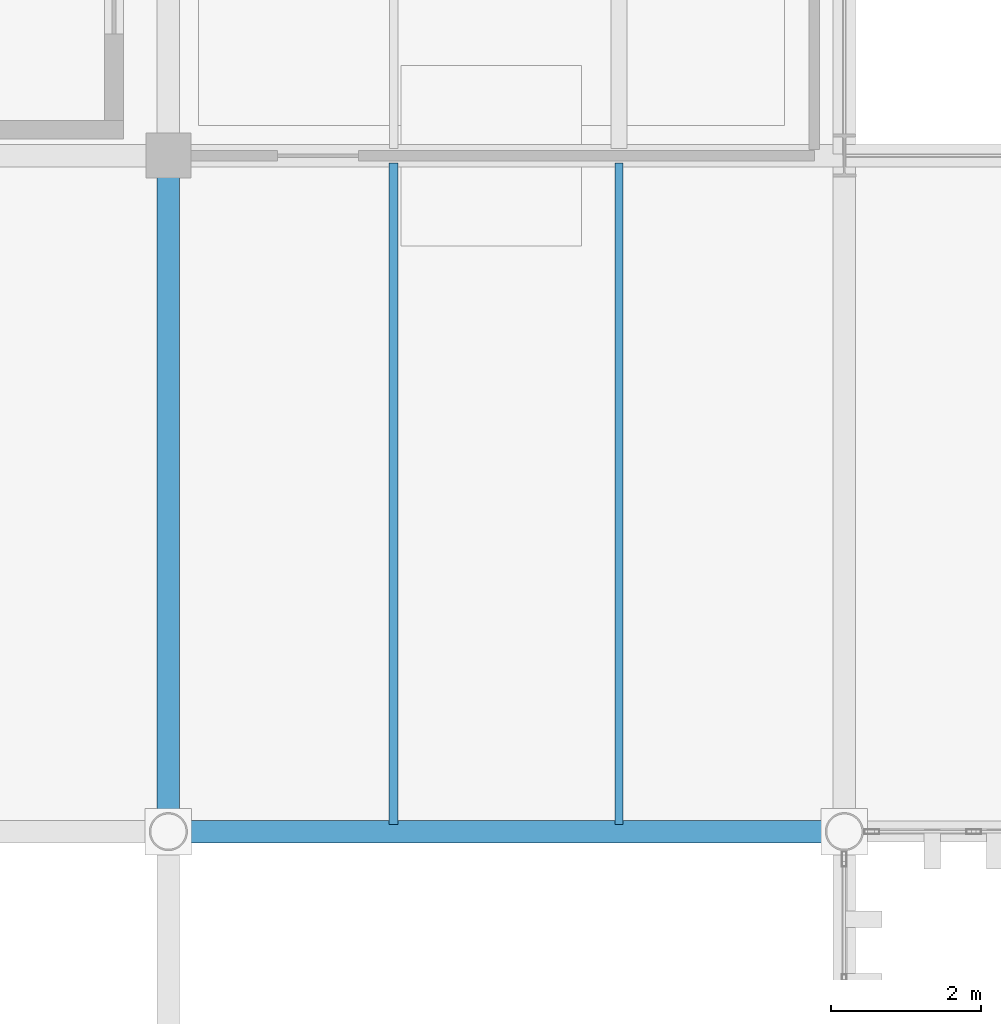
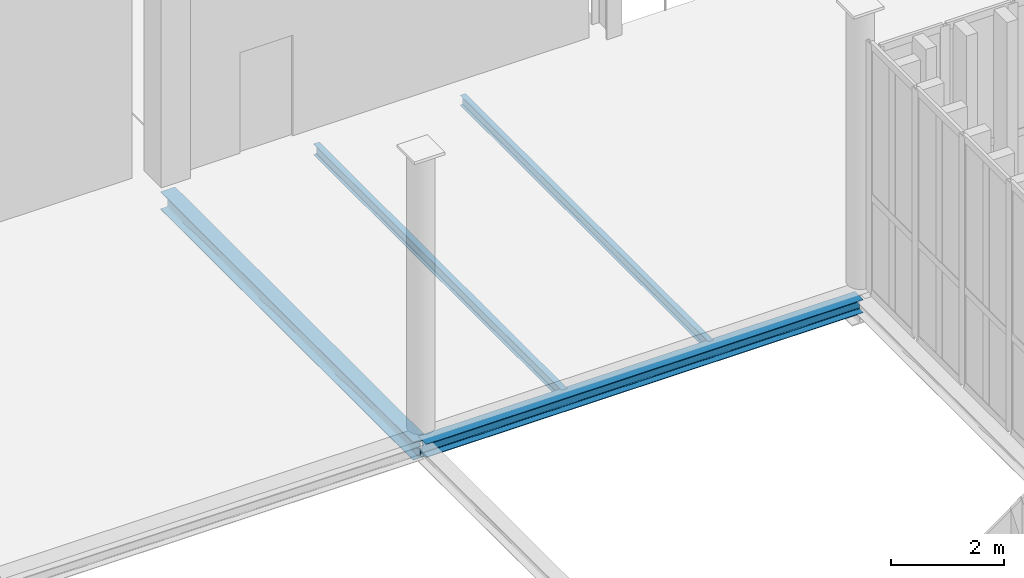
# One storey, part 29 of 211: 4 beams.
"""IFC4 building model written with IfcOpenShell, lengths in metres."""

from ifc_helpers import new_model, si_unit, direction, frame, origin, origin_2d, place, context, subcontext, project, spatial, i_section, extrude, material, material_profile, profile_set, type_object, element, save


model = new_model("IFC4")

# Units and contexts
model_context = context("Model", 3, precision=1e-05, world=origin(), true_north=direction((0.0, 1.0)))
body_context = subcontext(model_context, "Body", "Model", "MODEL_VIEW")
ifc_project = project(units=[si_unit("LENGTHUNIT", "METRE"), si_unit("AREAUNIT", "SQUARE_METRE"), si_unit("VOLUMEUNIT", "CUBIC_METRE"), si_unit("PLANEANGLEUNIT", "RADIAN"), si_unit("MASSUNIT", "GRAM", prefix="KILO")], contexts=[model_context])

# Site, building, storey
site_placement = place(None, origin())
site = spatial("IfcSite", under=ifc_project, at=site_placement, CompositionType="ELEMENT")
building_placement = place(site_placement, origin())
building = spatial("IfcBuilding", under=site, at=building_placement, Name="Barlavento Convention Centre", CompositionType="ELEMENT")
storey_placement = place(building_placement, frame((0.0, 0.0, 6.0)))
storey = spatial("IfcBuildingStorey", under=building, at=storey_placement, Name="L01", CompositionType="ELEMENT", Elevation=6.0)

# Beams
ifc_material = material(Name="Steel S355", Category="steel")
ifc_material_profile_1 = material_profile(ifc_material, i_section(OverallWidth=0.110107421875, OverallDepth=0.219970703125, WebThickness=0.005859375, FlangeThickness=0.00927734375, FilletRadius=0.011962890625, at=origin_2d()), Name="IPE 220")
ifc_profile_set_1 = profile_set([ifc_material_profile_1], Name="Steel S355")
beam_type_1 = type_object("IfcBeamType", Name="STR-BM-JST-IPE220", PredefinedType="JOIST", material=ifc_profile_set_1)
beam_1_placement = place(storey_placement, frame((15.0, 9.094970703125, -0.409912109375), z_axis=(0.0, 1.0, 0.0), x_axis=(-1.0, 0.0, 0.0)))
element("IfcBeam", 1, at=beam_1_placement, inside=storey, type_object=beam_type_1, Name="L01 composite floor joist SJ10", PredefinedType="JOIST", context=body_context, shape_type="SweptSolid", body=[
    extrude(i_section(OverallWidth=0.110107421875, OverallDepth=0.219970703125, WebThickness=0.005859375, FlangeThickness=0.00927734375, FilletRadius=0.011962890625, at=origin_2d()), origin(), (0.0, 0.0, 1.0), 8.81005859375),
])
ifc_material_profile_2 = material_profile(ifc_material, i_section(OverallWidth=0.1201171875, OverallDepth=0.239990234375, WebThickness=0.006103515625, FlangeThickness=0.009765625, FilletRadius=0.014892578125, at=origin_2d()), Name="IPE 240")
ifc_profile_set_2 = profile_set([ifc_material_profile_2], Name="Steel S355")
beam_type_2 = type_object("IfcBeamType", Name="STR-BM-JST-IPE240", PredefinedType="JOIST", material=ifc_profile_set_2)
beam_2_placement = place(storey_placement, frame((12.0, 9.094970703125, -0.419921875), z_axis=(0.0, 1.0, 0.0), x_axis=(-1.0, 0.0, 0.0)))
element("IfcBeam", 2, at=beam_2_placement, inside=storey, type_object=beam_type_2, Name="L01 composite floor joist SJ09", PredefinedType="JOIST", context=body_context, shape_type="SweptSolid", body=[
    extrude(i_section(OverallWidth=0.1201171875, OverallDepth=0.239990234375, WebThickness=0.006103515625, FlangeThickness=0.009765625, FilletRadius=0.014892578125, at=origin_2d()), origin(), (0.0, 0.0, 1.0), 8.81005859375),
])
ifc_material_profile_3 = material_profile(ifc_material, i_section(OverallWidth=0.300048828125, OverallDepth=0.389892578125, WebThickness=0.010986328125, FlangeThickness=0.01904296875, FilletRadius=0.027099609375, at=origin_2d()), Name="HEA 400")
ifc_profile_set_3 = profile_set([ifc_material_profile_3], Name="Steel S355")
beam_type_3 = type_object("IfcBeamType", Name="STR-BM-PRI-HEA400", PredefinedType="BEAM", material=ifc_profile_set_3)
beam_3_placement = place(storey_placement, frame((9.0, 9.02001953125, -0.4951171875), z_axis=(0.0, 1.0, 0.0), x_axis=(-1.0, 0.0, 0.0)))
element("IfcBeam", 3, at=beam_3_placement, inside=storey, type_object=beam_type_3, Name="L01 grid girder BG22", PredefinedType="BEAM", context=body_context, shape_type="SweptSolid", body=[
    extrude(i_section(OverallWidth=0.300048828125, OverallDepth=0.389892578125, WebThickness=0.010986328125, FlangeThickness=0.01904296875, FilletRadius=0.027099609375, at=origin_2d()), origin(), (0.0, 0.0, 1.0), 8.9599609375),
])
ifc_material_profile_4 = material_profile(ifc_material, i_section(OverallWidth=0.300048828125, OverallDepth=0.2900390625, WebThickness=0.008544921875, FlangeThickness=0.013916015625, FilletRadius=0.027099609375, at=origin_2d()), Name="HEA 300")
ifc_profile_set_4 = profile_set([ifc_material_profile_4], Name="Steel S355")
beam_type_4 = type_object("IfcBeamType", Name="STR-BM-SPN-HEA300", PredefinedType="SPANDREL", material=ifc_profile_set_4)
beam_4_placement = place(storey_placement, frame((9.02001953125, 9.0, -0.445068359375), z_axis=(1.0, 0.0, 0.0), x_axis=(0.0, 1.0, 0.0)))
element("IfcBeam", 4, at=beam_4_placement, inside=storey, type_object=beam_type_4, Name="L01 primary girder SP02", PredefinedType="SPANDREL", context=body_context, shape_type="SweptSolid", body=[
    extrude(i_section(OverallWidth=0.300048828125, OverallDepth=0.2900390625, WebThickness=0.008544921875, FlangeThickness=0.013916015625, FilletRadius=0.027099609375, at=origin_2d()), origin(), (0.0, 0.0, 1.0), 8.9599609375),
])

save(model, "model.ifc")
